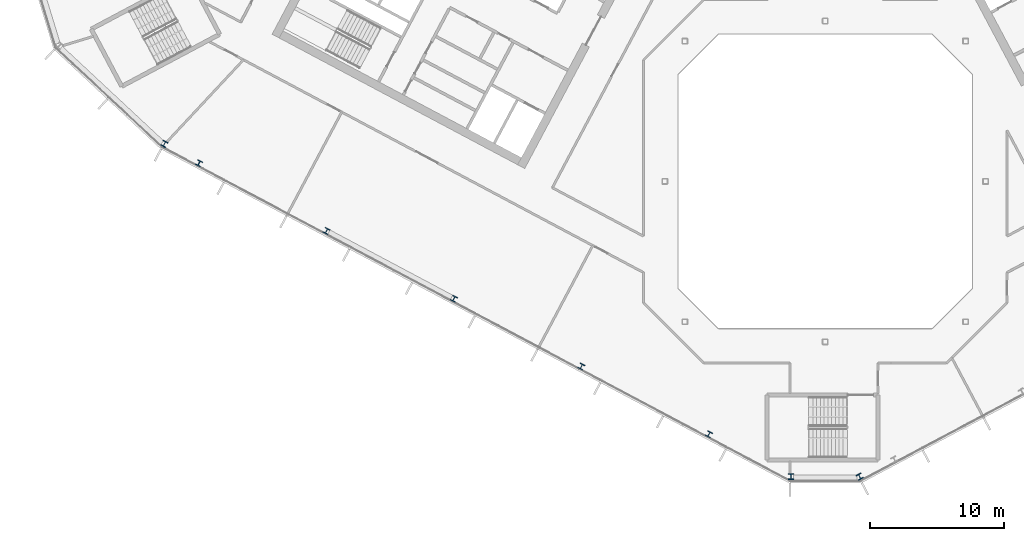
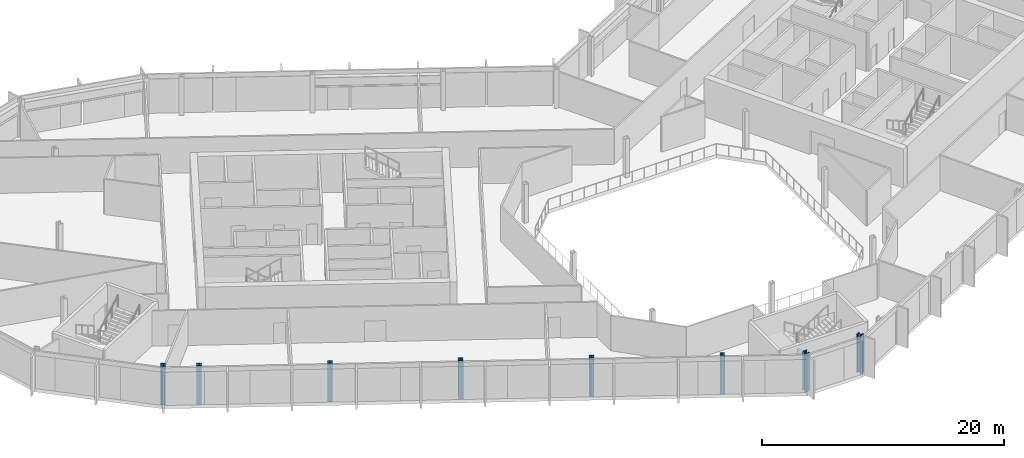
# One storey, part 1 of 26: 8 columns.
"""IFC4 building model written with IfcOpenShell, lengths in metres."""

from ifc_helpers import new_model, si_unit, direction, frame, origin, origin_2d, place, context, subcontext, project, spatial, i_section, extrude, material, material_profile, profile_set, type_object, element, save


model = new_model("IFC4")

# Units and contexts
model_context = context("Model", 3, precision=1e-05, world=origin(), true_north=direction((0.0, 1.0)))
body_context = subcontext(model_context, "Body", "Model", "MODEL_VIEW")
ifc_project = project(units=[si_unit("LENGTHUNIT", "METRE"), si_unit("AREAUNIT", "SQUARE_METRE"), si_unit("VOLUMEUNIT", "CUBIC_METRE"), si_unit("PLANEANGLEUNIT", "RADIAN"), si_unit("MASSUNIT", "GRAM", prefix="KILO")], contexts=[model_context])

# Site, building, storey
site_placement = place(None, origin())
site = spatial("IfcSite", under=ifc_project, at=site_placement, CompositionType="ELEMENT")
building_placement = place(site_placement, origin())
building = spatial("IfcBuilding", under=site, at=building_placement, Name="Cormorant Relay Tower", CompositionType="ELEMENT")
storey_placement = place(building_placement, frame((0.0, 0.0, 236.39990234375)))
storey = spatial("IfcBuildingStorey", under=building, at=storey_placement, Name="L52", CompositionType="ELEMENT", Elevation=236.39990234375)

# Columns
ifc_material_1 = material(Name="Steel ASTM A992 (Fy 345 MPa)", Category="steel")
ifc_material_profile_1 = material_profile(ifc_material_1, i_section(OverallWidth=0.40380859375, OverallDepth=0.406494140625, WebThickness=0.027099609375, FlangeThickness=0.043701171875, FilletRadius=0.01513671875, at=origin_2d()), Name="W360x347")
ifc_profile_set_1 = profile_set([ifc_material_profile_1], Name="Steel ASTM A992 (Fy 345 MPa)")
column_type_1 = type_object("IfcColumnType", Name="Column W360x347", PredefinedType="COLUMN", material=ifc_profile_set_1)
for number, where, z_axis, x_axis, name in (
    (1, (-8.700927734375, -18.919921875, 0.0), (0.0, 0.0, 1.0), (0.882947592859, -0.469471562786, 0.0), "Column L52-004"),
    (2, (-18.237060546875, -13.85009765625, 0.0), (0.0, 0.0, 1.0), (0.882947592859, -0.469471562786, 0.0), "Column L52-006"),
    (3, (-27.77197265625, -8.779052734375, 0.0), (0.0, 0.0, 1.0), (0.882947592859, -0.469471562786, 0.0), "Column L52-011"),
    (4, (-37.30810546875, -3.708984375, 0.0), (0.0, 0.0, 1.0), (0.882947592859, -0.469471562786, 0.0), "Column L52-013"),
    (5, (-46.843994140625, 1.361083984375, 0.0), (0.0, 0.0, 1.0), (0.882947592859, -0.469471562786, 0.0), "Column L52-017"),
):
    element("IfcColumn", number, at=place(storey_placement, frame(where, z_axis=z_axis, x_axis=x_axis)), inside=storey, type_object=column_type_1, Name=name, PredefinedType="COLUMN", context=body_context, shape_type="SweptSolid", body=[
        extrude(i_section(OverallWidth=0.40380859375, OverallDepth=0.406494140625, WebThickness=0.027099609375, FlangeThickness=0.043701171875, FilletRadius=0.01513671875, at=origin_2d()), origin(), (0.0, 0.0, 1.0), 3.900146484375),
    ])
ifc_material_2 = material(Name="Steel ASTM A992 (Fy 345 MPa)", Category="steel")
ifc_material_profile_2 = material_profile(ifc_material_2, i_section(OverallWidth=0.41162109375, OverallDepth=0.434326171875, WebThickness=0.035888671875, FlangeThickness=0.057373046875, FilletRadius=0.01513671875, at=origin_2d()), Name="W360x463")
ifc_profile_set_2 = profile_set([ifc_material_profile_2], Name="Steel ASTM A992 (Fy 345 MPa)")
column_type_2 = type_object("IfcColumnType", Name="Column W360x463", PredefinedType="COLUMN", material=ifc_profile_set_2)
for number, where, z_axis, x_axis, name in (
    (6, (-2.575927734375, -22.083984375, 0.0), (0.0, 0.0, 1.0), (1.0, 0.0, 0.0), "Column L52-001"),
    (7, (2.575927734375, -22.083984375, 0.0), (0.0, 0.0, 1.0), (0.882947592859, 0.469471562786, 0.0), "Column L52-002"),
    (8, (-49.43505859375, 2.803955078125, 0.0), (0.0, 0.0, 1.0), (0.882947592859, -0.469471562786, 0.0), "Column L52-018"),
):
    element("IfcColumn", number, at=place(storey_placement, frame(where, z_axis=z_axis, x_axis=x_axis)), inside=storey, type_object=column_type_2, Name=name, PredefinedType="COLUMN", context=body_context, shape_type="SweptSolid", body=[
        extrude(i_section(OverallWidth=0.41162109375, OverallDepth=0.434326171875, WebThickness=0.035888671875, FlangeThickness=0.057373046875, FilletRadius=0.01513671875, at=origin_2d()), origin(), (0.0, 0.0, 1.0), 3.900146484375),
    ])

save(model, "model.ifc")
